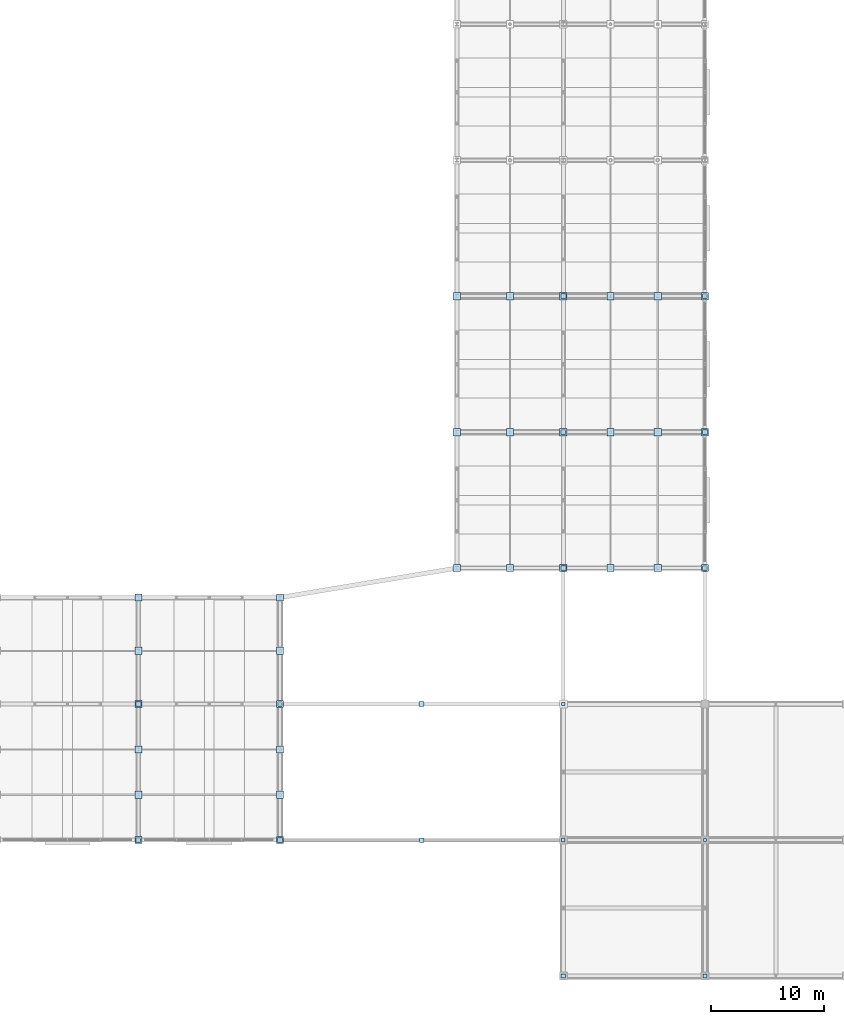
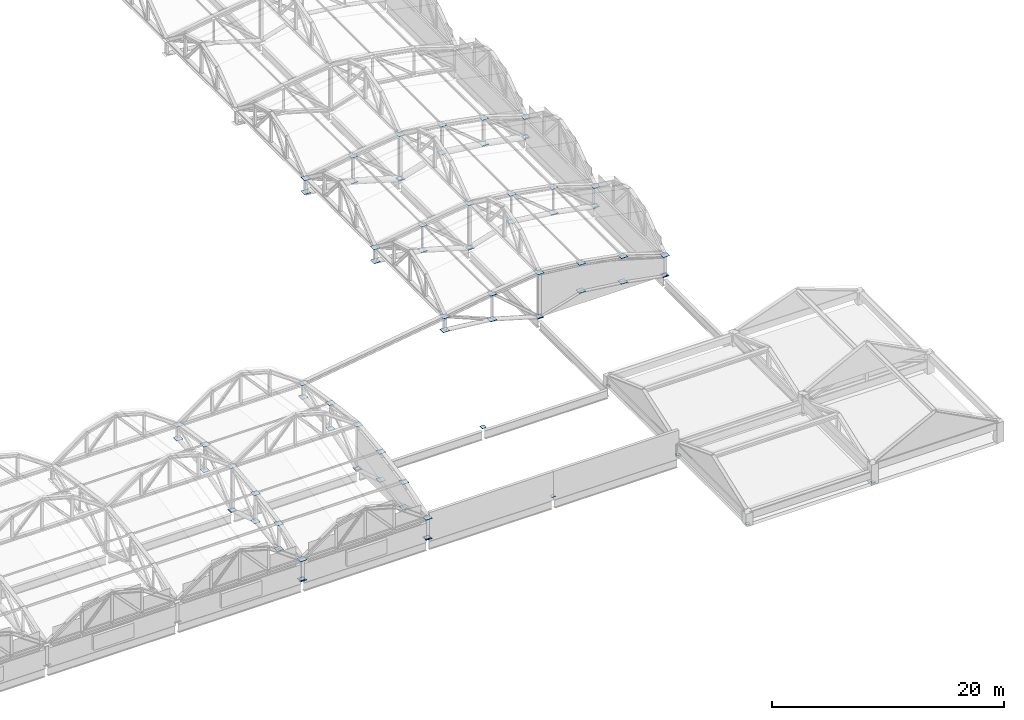
# One storey, part 103 of 117: 77 plates.
"""IFC4 building model written with IfcOpenShell, lengths in metres."""

from ifc_helpers import new_model, si_unit, direction, frame, origin, origin_2d, place, context, subcontext, project, spatial, rectangle, extrude, material, layer, layer_set, type_object, element, save


model = new_model("IFC4")

# Units and contexts
model_context = context("Model", 3, precision=1e-05, world=origin(), true_north=direction((0.0, 1.0)))
body_context = subcontext(model_context, "Body", "Model", "MODEL_VIEW")
ifc_project = project(units=[si_unit("LENGTHUNIT", "METRE"), si_unit("AREAUNIT", "SQUARE_METRE"), si_unit("VOLUMEUNIT", "CUBIC_METRE"), si_unit("PLANEANGLEUNIT", "RADIAN"), si_unit("MASSUNIT", "GRAM", prefix="KILO")], contexts=[model_context])

# Site, building, storey
site_placement = place(None, origin())
site = spatial("IfcSite", under=ifc_project, at=site_placement, CompositionType="ELEMENT")
building_placement = place(site_placement, origin())
building = spatial("IfcBuilding", under=site, at=building_placement, Name="Kazenohara Klinker Stadium", CompositionType="ELEMENT")
storey_placement = place(building_placement, frame((0.0, 0.0, 31.199951171875)))
storey = spatial("IfcBuildingStorey", under=building, at=storey_placement, Name="RF", CompositionType="ELEMENT", Elevation=31.199951171875)

# Plates
ifc_material = material(Name="Steel S355", Category="steel")
ifc_layer_1 = layer(ifc_material, 0.02001953125)
ifc_layer_set_1 = layer_set([ifc_layer_1], Name="Steel S355")
plate_type_1 = type_object("IfcPlateType", Name="PLT-GP01", PredefinedType="USERDEFINED", material=ifc_layer_set_1)
plate_1_placement = place(storey_placement, frame((162.5, 24.0, -0.010009765625), z_axis=(0.0, 0.0, 1.0), x_axis=(1.0, 0.0, 0.0)))
element("IfcPlate", 1, at=plate_1_placement, inside=storey, type_object=plate_type_1, Name="Hollow column end-cap plate GP01 RF 14/C", ObjectType="GUSSET PLATE", PredefinedType="USERDEFINED", context=body_context, shape_type="SweptSolid", body=[
    extrude(rectangle(XDim=0.389892578125, YDim=0.389892578125, at=origin_2d()), origin(), (0.0, 0.0, 1.0), 0.02001953125),
])
plate_2_placement = place(storey_placement, frame((175.0, 24.0, -0.010009765625), z_axis=(0.0, 0.0, 1.0), x_axis=(1.0, 0.0, 0.0)))
element("IfcPlate", 2, at=plate_2_placement, inside=storey, type_object=plate_type_1, Name="Hollow column end-cap plate GP01 RF 15/C", ObjectType="GUSSET PLATE", PredefinedType="USERDEFINED", context=body_context, shape_type="SweptSolid", body=[
    extrude(rectangle(XDim=0.340087890625, YDim=0.340087890625, at=origin_2d()), origin(), (0.0, 0.0, 1.0), 0.02001953125),
])
plate_3_placement = place(storey_placement, frame((187.5, 24.0, -0.010009765625), z_axis=(0.0, 0.0, 1.0), x_axis=(1.0, 0.0, 0.0)))
element("IfcPlate", 3, at=plate_3_placement, inside=storey, type_object=plate_type_1, Name="Hollow column end-cap plate GP01 RF 16/C", ObjectType="GUSSET PLATE", PredefinedType="USERDEFINED", context=body_context, shape_type="SweptSolid", body=[
    extrude(rectangle(XDim=0.2900390625, YDim=0.2900390625, at=origin_2d()), origin(), (0.0, 0.0, 1.0), 0.02001953125),
])
plate_4_placement = place(storey_placement, frame((187.5, 72.0, -0.010009765625), z_axis=(0.0, 0.0, 1.0), x_axis=(1.0, 0.0, 0.0)))
element("IfcPlate", 4, at=plate_4_placement, inside=storey, type_object=plate_type_1, Name="Hollow column end-cap plate GP01 RF 16/G", ObjectType="GUSSET PLATE", PredefinedType="USERDEFINED", context=body_context, shape_type="SweptSolid", body=[
    extrude(rectangle(XDim=0.389892578125, YDim=0.389892578125, at=origin_2d()), origin(), (0.0, 0.0, 1.0), 0.02001953125),
])
for number, where, z_axis, x_axis, name in (
    (5, (165.60009765625, 48.0, 1.840087890625), (0.0, 0.0, 1.0), (1.0, 0.0, 0.0), "ROOF TRUSS RT-E01 node gusset plate BN6"),
    (6, (165.60009765625, 48.0, 3.2900390625), (0.0, 0.0, 1.0), (1.0, 0.0, 0.0), "ROOF TRUSS RT-E01 node gusset plate TN6"),
    (7, (170.300048828125, 60.0, 1.340087890625), (0.0, 0.0, 1.0), (1.0, 0.0, 0.0), "ROOF TRUSS RT-E02 node gusset plate BN5"),
    (8, (170.300048828125, 60.0, 4.0400390625), (0.0, 0.0, 1.0), (1.0, 0.0, 0.0), "ROOF TRUSS RT-E02 node gusset plate TN5"),
    (9, (175.0, 72.0, -0.030029296875), (0.0, 0.0, 1.0), (1.0, 0.0, 0.0), "ROOF TRUSS RT-E03 node gusset plate BN4"),
    (10, (175.0, 72.0, 4.64013671875), (0.0, 0.0, 1.0), (1.0, 0.0, 0.0), "ROOF TRUSS RT-E03 node gusset plate TN4"),
    (11, (137.5, 36.0, -0.030029296875), (0.0, 0.0, 1.0), (1.0, 0.0, 0.0), "ROOF TRUSS RT-S07 node gusset plate BN4"),
    (12, (137.5, 36.0, 4.64013671875), (0.0, 0.0, 1.0), (1.0, 0.0, 0.0), "ROOF TRUSS RT-S07 node gusset plate TN4"),
    (13, (150.0, 32.0, 1.239990234375), (0.0, 0.0, 1.0), (1.0, 0.0, 0.0), "ROOF TRUSS RT-S08 node gusset plate BN3"),
    (14, (150.0, 32.0, 4.18994140625), (0.0, 0.0, 1.0), (1.0, 0.0, 0.0), "ROOF TRUSS RT-S08 node gusset plate TN3"),
):
    element("IfcPlate", number, at=place(storey_placement, frame(where, z_axis=z_axis, x_axis=x_axis)), inside=storey, type_object=plate_type_1, Name=name, ObjectType="GUSSET PLATE", PredefinedType="USERDEFINED", context=body_context, shape_type="SweptSolid", body=[
        extrude(rectangle(XDim=0.639892578125, YDim=0.639892578125, at=origin_2d()), origin(), (0.0, 0.0, 1.0), 0.02001953125),
    ])
ifc_layer_2 = layer(ifc_material, 0.02197265625)
ifc_layer_set_2 = layer_set([ifc_layer_2], Name="Steel S355")
plate_type_2 = type_object("IfcPlateType", Name="PLT-GP02", PredefinedType="USERDEFINED", material=ifc_layer_set_2)
plate_5_placement = place(storey_placement, frame((137.5, 24.0, -0.010986328125), z_axis=(0.0, 0.0, 1.0), x_axis=(1.0, 0.0, 0.0)))
element("IfcPlate", 15, at=plate_5_placement, inside=storey, type_object=plate_type_2, Name="Hollow column end-cap plate GP02 RF 12/C", ObjectType="GUSSET PLATE", PredefinedType="USERDEFINED", context=body_context, shape_type="SweptSolid", body=[
    extrude(rectangle(XDim=0.389892578125, YDim=0.389892578125, at=origin_2d()), origin(), (0.0, 0.0, 1.0), 0.02197265625),
])
for number, where, z_axis, x_axis, name in (
    (16, (137.5, 36.0, -0.010986328125), (0.0, 0.0, 1.0), (1.0, 0.0, 0.0), "Hollow column end-cap plate GP02 RF 12/D"),
    (17, (150.0, 24.0, -0.010986328125), (0.0, 0.0, 1.0), (1.0, 0.0, 0.0), "Hollow column end-cap plate GP02 RF 13/C"),
):
    element("IfcPlate", number, at=place(storey_placement, frame(where, z_axis=z_axis, x_axis=x_axis)), inside=storey, type_object=plate_type_2, Name=name, ObjectType="GUSSET PLATE", PredefinedType="USERDEFINED", context=body_context, shape_type="SweptSolid", body=[
        extrude(rectangle(XDim=0.43994140625, YDim=0.43994140625, at=origin_2d()), origin(), (0.0, 0.0, 1.0), 0.02197265625),
    ])
for number, where, z_axis, x_axis, name in (
    (18, (150.0, 36.0, -0.010986328125), (0.0, 0.0, 1.0), (1.0, 0.0, 0.0), "Hollow column end-cap plate GP02 RF 13/D"),
    (19, (175.0, 12.0, -0.010986328125), (0.0, 0.0, 1.0), (1.0, 0.0, 0.0), "Hollow column end-cap plate GP02 RF 15/B"),
):
    element("IfcPlate", number, at=place(storey_placement, frame(where, z_axis=z_axis, x_axis=x_axis)), inside=storey, type_object=plate_type_2, Name=name, ObjectType="GUSSET PLATE", PredefinedType="USERDEFINED", context=body_context, shape_type="SweptSolid", body=[
        extrude(rectangle(XDim=0.389892578125, YDim=0.389892578125, at=origin_2d()), origin(), (0.0, 0.0, 1.0), 0.02197265625),
    ])
plate_6_placement = place(storey_placement, frame((187.5, 12.0, -0.010986328125), z_axis=(0.0, 0.0, 1.0), x_axis=(1.0, 0.0, 0.0)))
element("IfcPlate", 20, at=plate_6_placement, inside=storey, type_object=plate_type_2, Name="Hollow column end-cap plate GP02 RF 16/B", ObjectType="GUSSET PLATE", PredefinedType="USERDEFINED", context=body_context, shape_type="SweptSolid", body=[
    extrude(rectangle(XDim=0.340087890625, YDim=0.340087890625, at=origin_2d()), origin(), (0.0, 0.0, 1.0), 0.02197265625),
])
plate_7_placement = place(storey_placement, frame((187.5, 60.0, -0.010986328125), z_axis=(0.0, 0.0, 1.0), x_axis=(1.0, 0.0, 0.0)))
element("IfcPlate", 21, at=plate_7_placement, inside=storey, type_object=plate_type_2, Name="Hollow column end-cap plate GP02 RF 16/F", ObjectType="GUSSET PLATE", PredefinedType="USERDEFINED", context=body_context, shape_type="SweptSolid", body=[
    extrude(rectangle(XDim=0.43994140625, YDim=0.43994140625, at=origin_2d()), origin(), (0.0, 0.0, 1.0), 0.02197265625),
])
for number, where, z_axis, x_axis, name in (
    (22, (187.5, 48.0, -0.031005859375), (0.0, 0.0, 1.0), (1.0, 0.0, 0.0), "ROOF TRUSS RT-E01 node gusset plate BN1"),
    (23, (187.5, 48.0, 2.089111328125), (0.0, 0.0, 1.0), (1.0, 0.0, 0.0), "ROOF TRUSS RT-E01 node gusset plate TN1"),
    (24, (165.60009765625, 60.0, 1.839111328125), (0.0, 0.0, 1.0), (1.0, 0.0, 0.0), "ROOF TRUSS RT-E02 node gusset plate BN6"),
    (25, (165.60009765625, 60.0, 3.2890625), (0.0, 0.0, 1.0), (1.0, 0.0, 0.0), "ROOF TRUSS RT-E02 node gusset plate TN6"),
    (26, (170.300048828125, 72.0, 1.339111328125), (0.0, 0.0, 1.0), (1.0, 0.0, 0.0), "ROOF TRUSS RT-E03 node gusset plate BN5"),
    (27, (170.300048828125, 72.0, 4.0390625), (0.0, 0.0, 1.0), (1.0, 0.0, 0.0), "ROOF TRUSS RT-E03 node gusset plate TN5"),
    (28, (137.5, 40.699951171875, 1.339111328125), (0.0, 0.0, 1.0), (1.0, 0.0, 0.0), "ROOF TRUSS RT-S07 node gusset plate BN5"),
    (29, (137.5, 40.699951171875, 4.0390625), (0.0, 0.0, 1.0), (1.0, 0.0, 0.0), "ROOF TRUSS RT-S07 node gusset plate TN5"),
    (30, (150.0, 36.0, -0.031005859375), (0.0, 0.0, 1.0), (1.0, 0.0, 0.0), "ROOF TRUSS RT-S08 node gusset plate BN4"),
    (31, (150.0, 36.0, 4.63916015625), (0.0, 0.0, 1.0), (1.0, 0.0, 0.0), "ROOF TRUSS RT-S08 node gusset plate TN4"),
):
    element("IfcPlate", number, at=place(storey_placement, frame(where, z_axis=z_axis, x_axis=x_axis)), inside=storey, type_object=plate_type_2, Name=name, ObjectType="GUSSET PLATE", PredefinedType="USERDEFINED", context=body_context, shape_type="SweptSolid", body=[
        extrude(rectangle(XDim=0.639892578125, YDim=0.639892578125, at=origin_2d()), origin(), (0.0, 0.0, 1.0), 0.02197265625),
    ])
ifc_layer_3 = layer(ifc_material, 0.02392578125)
ifc_layer_set_3 = layer_set([ifc_layer_3], Name="Steel S355")
plate_type_3 = type_object("IfcPlateType", Name="PLT-GP03", PredefinedType="USERDEFINED", material=ifc_layer_set_3)
plate_8_placement = place(storey_placement, frame((175.0, 72.0, -0.011962890625), z_axis=(0.0, 0.0, 1.0), x_axis=(1.0, 0.0, 0.0)))
element("IfcPlate", 32, at=plate_8_placement, inside=storey, type_object=plate_type_3, Name="Hollow column end-cap plate GP03 RF 15/G", ObjectType="GUSSET PLATE", PredefinedType="USERDEFINED", context=body_context, shape_type="SweptSolid", body=[
    extrude(rectangle(XDim=0.43994140625, YDim=0.43994140625, at=origin_2d()), origin(), (0.0, 0.0, 1.0), 0.02392578125),
])
plate_9_placement = place(storey_placement, frame((187.5, 48.0, -0.011962890625), z_axis=(0.0, 0.0, 1.0), x_axis=(1.0, 0.0, 0.0)))
element("IfcPlate", 33, at=plate_9_placement, inside=storey, type_object=plate_type_3, Name="Hollow column end-cap plate GP03 RF 16/E", ObjectType="GUSSET PLATE", PredefinedType="USERDEFINED", context=body_context, shape_type="SweptSolid", body=[
    extrude(rectangle(XDim=0.389892578125, YDim=0.389892578125, at=origin_2d()), origin(), (0.0, 0.0, 1.0), 0.02392578125),
])
for number, where, z_axis, x_axis, name in (
    (34, (183.333251953125, 48.0, 0.738037109375), (0.0, 0.0, 1.0), (1.0, 0.0, 0.0), "ROOF TRUSS RT-E01 node gusset plate BN2"),
    (35, (183.333251953125, 48.0, 3.43798828125), (0.0, 0.0, 1.0), (1.0, 0.0, 0.0), "ROOF TRUSS RT-E01 node gusset plate TN2"),
    (36, (187.5, 60.0, -0.031982421875), (0.0, 0.0, 1.0), (1.0, 0.0, 0.0), "ROOF TRUSS RT-E02 node gusset plate BN1"),
    (37, (187.5, 60.0, 2.088134765625), (0.0, 0.0, 1.0), (1.0, 0.0, 0.0), "ROOF TRUSS RT-E02 node gusset plate TN1"),
    (38, (165.60009765625, 72.0, 1.838134765625), (0.0, 0.0, 1.0), (1.0, 0.0, 0.0), "ROOF TRUSS RT-E03 node gusset plate BN6"),
    (39, (165.60009765625, 72.0, 3.2880859375), (0.0, 0.0, 1.0), (1.0, 0.0, 0.0), "ROOF TRUSS RT-E03 node gusset plate TN6"),
    (40, (137.5, 45.39990234375, 1.838134765625), (0.0, 0.0, 1.0), (1.0, 0.0, 0.0), "ROOF TRUSS RT-S07 node gusset plate BN6"),
    (41, (137.5, 45.39990234375, 3.2880859375), (0.0, 0.0, 1.0), (1.0, 0.0, 0.0), "ROOF TRUSS RT-S07 node gusset plate TN6"),
    (42, (150.0, 40.699951171875, 1.338134765625), (0.0, 0.0, 1.0), (1.0, 0.0, 0.0), "ROOF TRUSS RT-S08 node gusset plate BN5"),
    (43, (150.0, 40.699951171875, 4.0380859375), (0.0, 0.0, 1.0), (1.0, 0.0, 0.0), "ROOF TRUSS RT-S08 node gusset plate TN5"),
):
    element("IfcPlate", number, at=place(storey_placement, frame(where, z_axis=z_axis, x_axis=x_axis)), inside=storey, type_object=plate_type_3, Name=name, ObjectType="GUSSET PLATE", PredefinedType="USERDEFINED", context=body_context, shape_type="SweptSolid", body=[
        extrude(rectangle(XDim=0.639892578125, YDim=0.639892578125, at=origin_2d()), origin(), (0.0, 0.0, 1.0), 0.02392578125),
    ])
ifc_layer_4 = layer(ifc_material, 0.02490234375)
ifc_layer_set_4 = layer_set([ifc_layer_4], Name="Steel S355")
plate_type_4 = type_object("IfcPlateType", Name="PLT-GP04", PredefinedType="USERDEFINED", material=ifc_layer_set_4)
plate_10_placement = place(storey_placement, frame((162.5, 36.0, -0.012451171875), z_axis=(0.0, 0.0, 1.0), x_axis=(1.0, 0.0, 0.0)))
element("IfcPlate", 44, at=plate_10_placement, inside=storey, type_object=plate_type_4, Name="Hollow column end-cap plate GP04 RF 14/D", ObjectType="GUSSET PLATE", PredefinedType="USERDEFINED", context=body_context, shape_type="SweptSolid", body=[
    extrude(rectangle(XDim=0.43994140625, YDim=0.43994140625, at=origin_2d()), origin(), (0.0, 0.0, 1.0), 0.02490234375),
])
plate_11_placement = place(storey_placement, frame((175.0, 36.0, -0.012451171875), z_axis=(0.0, 0.0, 1.0), x_axis=(1.0, 0.0, 0.0)))
element("IfcPlate", 45, at=plate_11_placement, inside=storey, type_object=plate_type_4, Name="Hollow column end-cap plate GP04 RF 15/D", ObjectType="GUSSET PLATE", PredefinedType="USERDEFINED", context=body_context, shape_type="SweptSolid", body=[
    extrude(rectangle(XDim=0.2900390625, YDim=0.2900390625, at=origin_2d()), origin(), (0.0, 0.0, 1.0), 0.02490234375),
])
plate_12_placement = place(storey_placement, frame((175.0, 48.0, -0.012451171875), z_axis=(0.0, 0.0, 1.0), x_axis=(1.0, 0.0, 0.0)))
element("IfcPlate", 46, at=plate_12_placement, inside=storey, type_object=plate_type_4, Name="Hollow column end-cap plate GP04 RF 15/E", ObjectType="GUSSET PLATE", PredefinedType="USERDEFINED", context=body_context, shape_type="SweptSolid", body=[
    extrude(rectangle(XDim=0.43994140625, YDim=0.43994140625, at=origin_2d()), origin(), (0.0, 0.0, 1.0), 0.02490234375),
])
plate_13_placement = place(storey_placement, frame((175.0, 60.0, -0.012451171875), z_axis=(0.0, 0.0, 1.0), x_axis=(1.0, 0.0, 0.0)))
element("IfcPlate", 47, at=plate_13_placement, inside=storey, type_object=plate_type_4, Name="Hollow column end-cap plate GP04 RF 15/F", ObjectType="GUSSET PLATE", PredefinedType="USERDEFINED", context=body_context, shape_type="SweptSolid", body=[
    extrude(rectangle(XDim=0.389892578125, YDim=0.389892578125, at=origin_2d()), origin(), (0.0, 0.0, 1.0), 0.02490234375),
])
for number, where, z_axis, x_axis, name in (
    (48, (179.166748046875, 48.0, 1.237548828125), (0.0, 0.0, 1.0), (1.0, 0.0, 0.0), "ROOF TRUSS RT-E01 node gusset plate BN3"),
    (49, (179.166748046875, 48.0, 4.1875), (0.0, 0.0, 1.0), (1.0, 0.0, 0.0), "ROOF TRUSS RT-E01 node gusset plate TN3"),
    (50, (183.333251953125, 60.0, 0.737548828125), (0.0, 0.0, 1.0), (1.0, 0.0, 0.0), "ROOF TRUSS RT-E02 node gusset plate BN2"),
    (51, (183.333251953125, 60.0, 3.4375), (0.0, 0.0, 1.0), (1.0, 0.0, 0.0), "ROOF TRUSS RT-E02 node gusset plate TN2"),
    (52, (187.5, 72.0, -0.032470703125), (0.0, 0.0, 1.0), (1.0, 0.0, 0.0), "ROOF TRUSS RT-E03 node gusset plate BN1"),
    (53, (187.5, 72.0, 2.087646484375), (0.0, 0.0, 1.0), (1.0, 0.0, 0.0), "ROOF TRUSS RT-E03 node gusset plate TN1"),
    (54, (137.5, 24.0, -0.032470703125), (0.0, 0.0, 1.0), (1.0, 0.0, 0.0), "ROOF TRUSS RT-S07 node gusset plate BN1"),
    (55, (137.5, 24.0, 2.087646484375), (0.0, 0.0, 1.0), (1.0, 0.0, 0.0), "ROOF TRUSS RT-S07 node gusset plate TN1"),
    (56, (150.0, 45.39990234375, 1.837646484375), (0.0, 0.0, 1.0), (1.0, 0.0, 0.0), "ROOF TRUSS RT-S08 node gusset plate BN6"),
    (57, (150.0, 45.39990234375, 3.28759765625), (0.0, 0.0, 1.0), (1.0, 0.0, 0.0), "ROOF TRUSS RT-S08 node gusset plate TN6"),
):
    element("IfcPlate", number, at=place(storey_placement, frame(where, z_axis=z_axis, x_axis=x_axis)), inside=storey, type_object=plate_type_4, Name=name, ObjectType="GUSSET PLATE", PredefinedType="USERDEFINED", context=body_context, shape_type="SweptSolid", body=[
        extrude(rectangle(XDim=0.639892578125, YDim=0.639892578125, at=origin_2d()), origin(), (0.0, 0.0, 1.0), 0.02490234375),
    ])
ifc_layer_5 = layer(ifc_material, 0.02587890625)
ifc_layer_set_5 = layer_set([ifc_layer_5], Name="Steel S355")
plate_type_5 = type_object("IfcPlateType", Name="PLT-GP05", PredefinedType="USERDEFINED", material=ifc_layer_set_5)
for number, where, z_axis, x_axis, name in (
    (58, (175.0, 48.0, -0.032958984375), (0.0, 0.0, 1.0), (1.0, 0.0, 0.0), "ROOF TRUSS RT-E01 node gusset plate BN4"),
    (59, (175.0, 48.0, 4.63720703125), (0.0, 0.0, 1.0), (1.0, 0.0, 0.0), "ROOF TRUSS RT-E01 node gusset plate TN4"),
    (60, (179.166748046875, 60.0, 1.237060546875), (0.0, 0.0, 1.0), (1.0, 0.0, 0.0), "ROOF TRUSS RT-E02 node gusset plate BN3"),
    (61, (179.166748046875, 60.0, 4.18701171875), (0.0, 0.0, 1.0), (1.0, 0.0, 0.0), "ROOF TRUSS RT-E02 node gusset plate TN3"),
    (62, (183.333251953125, 72.0, 0.737060546875), (0.0, 0.0, 1.0), (1.0, 0.0, 0.0), "ROOF TRUSS RT-E03 node gusset plate BN2"),
    (63, (183.333251953125, 72.0, 3.43701171875), (0.0, 0.0, 1.0), (1.0, 0.0, 0.0), "ROOF TRUSS RT-E03 node gusset plate TN2"),
    (64, (137.5, 28.0, 0.737060546875), (0.0, 0.0, 1.0), (1.0, 0.0, 0.0), "ROOF TRUSS RT-S07 node gusset plate BN2"),
    (65, (137.5, 28.0, 3.43701171875), (0.0, 0.0, 1.0), (1.0, 0.0, 0.0), "ROOF TRUSS RT-S07 node gusset plate TN2"),
    (66, (150.0, 24.0, -0.032958984375), (0.0, 0.0, 1.0), (1.0, 0.0, 0.0), "ROOF TRUSS RT-S08 node gusset plate BN1"),
    (67, (150.0, 24.0, 2.087158203125), (0.0, 0.0, 1.0), (1.0, 0.0, 0.0), "ROOF TRUSS RT-S08 node gusset plate TN1"),
):
    element("IfcPlate", number, at=place(storey_placement, frame(where, z_axis=z_axis, x_axis=x_axis)), inside=storey, type_object=plate_type_5, Name=name, ObjectType="GUSSET PLATE", PredefinedType="USERDEFINED", context=body_context, shape_type="SweptSolid", body=[
        extrude(rectangle(XDim=0.639892578125, YDim=0.639892578125, at=origin_2d()), origin(), (0.0, 0.0, 1.0), 0.02587890625),
    ])
ifc_layer_6 = layer(ifc_material, 0.028076171875)
ifc_layer_set_6 = layer_set([ifc_layer_6], Name="Steel S355")
plate_type_6 = type_object("IfcPlateType", Name="PLT-GP06", PredefinedType="USERDEFINED", material=ifc_layer_set_6)
for number, where, z_axis, x_axis, name in (
    (68, (170.300048828125, 48.0, 1.3359375), (0.0, 0.0, 1.0), (1.0, 0.0, 0.0), "ROOF TRUSS RT-E01 node gusset plate BN5"),
    (69, (170.300048828125, 48.0, 4.0361328125), (0.0, 0.0, 1.0), (1.0, 0.0, 0.0), "ROOF TRUSS RT-E01 node gusset plate TN5"),
    (70, (175.0, 60.0, -0.0341796875), (0.0, 0.0, 1.0), (1.0, 0.0, 0.0), "ROOF TRUSS RT-E02 node gusset plate BN4"),
    (71, (175.0, 60.0, 4.63623046875), (0.0, 0.0, 1.0), (1.0, 0.0, 0.0), "ROOF TRUSS RT-E02 node gusset plate TN4"),
    (72, (179.166748046875, 72.0, 1.23583984375), (0.0, 0.0, 1.0), (1.0, 0.0, 0.0), "ROOF TRUSS RT-E03 node gusset plate BN3"),
    (73, (179.166748046875, 72.0, 4.18603515625), (0.0, 0.0, 1.0), (1.0, 0.0, 0.0), "ROOF TRUSS RT-E03 node gusset plate TN3"),
    (74, (137.5, 32.0, 1.23583984375), (0.0, 0.0, 1.0), (1.0, 0.0, 0.0), "ROOF TRUSS RT-S07 node gusset plate BN3"),
    (75, (137.5, 32.0, 4.18603515625), (0.0, 0.0, 1.0), (1.0, 0.0, 0.0), "ROOF TRUSS RT-S07 node gusset plate TN3"),
    (76, (150.0, 28.0, 0.73583984375), (0.0, 0.0, 1.0), (1.0, 0.0, 0.0), "ROOF TRUSS RT-S08 node gusset plate BN2"),
    (77, (150.0, 28.0, 3.43603515625), (0.0, 0.0, 1.0), (1.0, 0.0, 0.0), "ROOF TRUSS RT-S08 node gusset plate TN2"),
):
    element("IfcPlate", number, at=place(storey_placement, frame(where, z_axis=z_axis, x_axis=x_axis)), inside=storey, type_object=plate_type_6, Name=name, ObjectType="GUSSET PLATE", PredefinedType="USERDEFINED", context=body_context, shape_type="SweptSolid", body=[
        extrude(rectangle(XDim=0.639892578125, YDim=0.639892578125, at=origin_2d()), origin(), (0.0, 0.0, 1.0), 0.028076171875),
    ])

save(model, "model.ifc")
